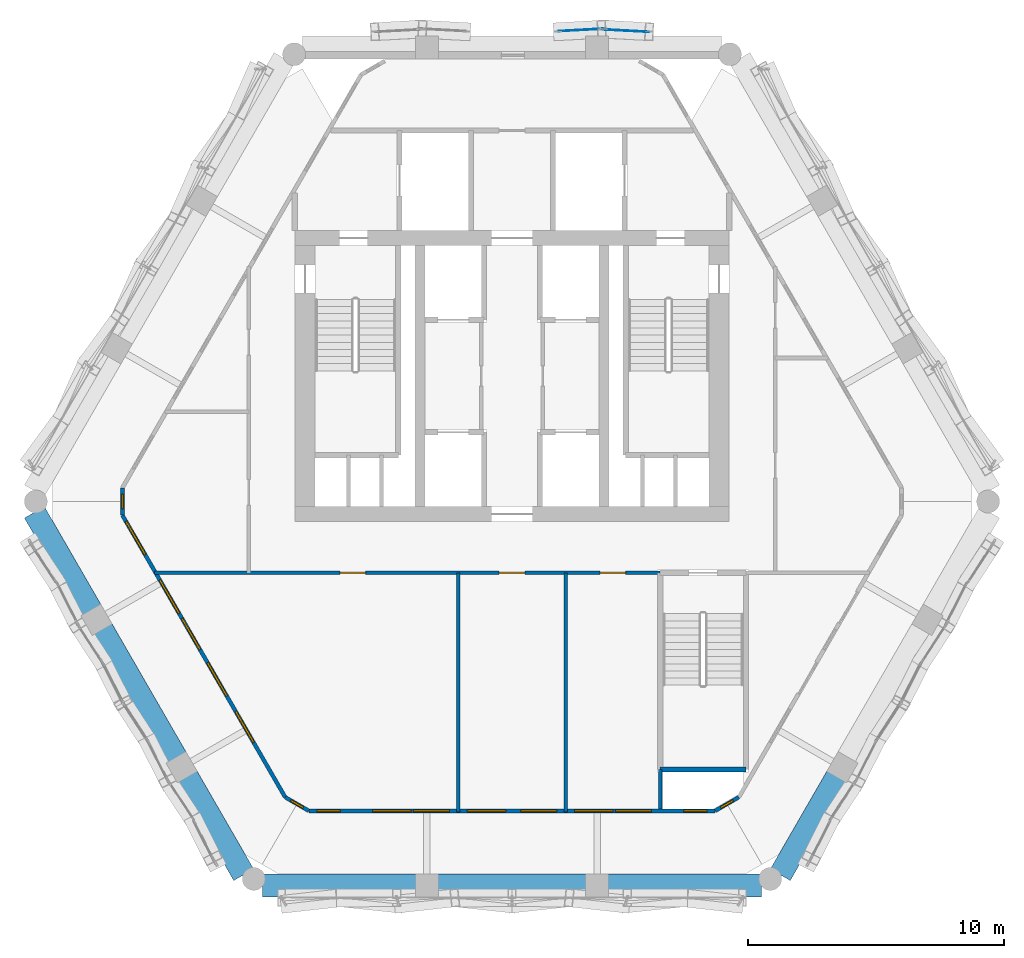
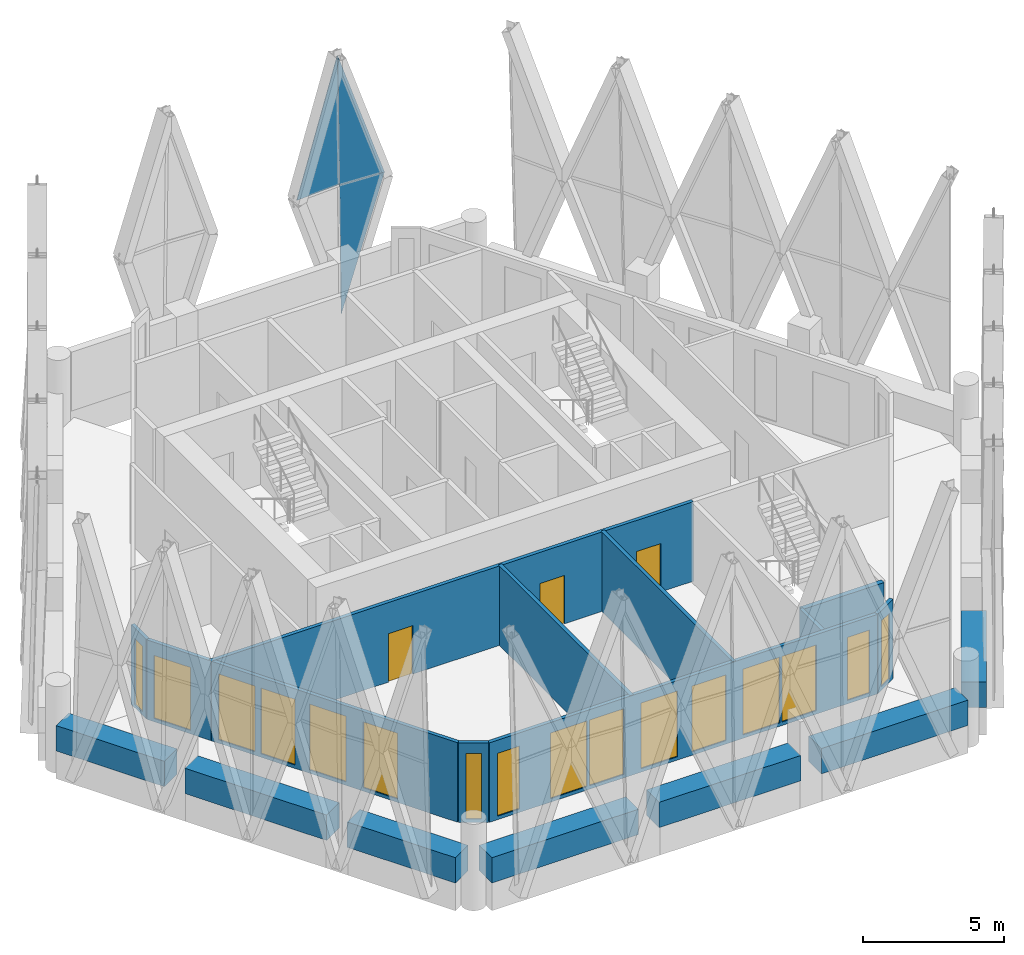
# One storey, part 12 of 21: 17 walls, 16 windows, 3 doors, 3 plates, 19 openings, 3 elements without a shape of their own.
"""IFC4 building model written with IfcOpenShell, lengths in metres."""

from ifc_helpers import new_model, si_unit, direction, frame, frame_2d, origin, place, context, subcontext, project, spatial, polyline, rectangle, outline, extrude, material, layer, layer_set, type_object, element, fill, aggregate, save


model = new_model("IFC4")

# Units and contexts
model_context = context("Model", 3, precision=1e-05, world=origin(), true_north=direction((0.0, 1.0)))
body_context = subcontext(model_context, "Body", "Model", "MODEL_VIEW")
ifc_project = project(units=[si_unit("LENGTHUNIT", "METRE"), si_unit("AREAUNIT", "SQUARE_METRE"), si_unit("VOLUMEUNIT", "CUBIC_METRE"), si_unit("PLANEANGLEUNIT", "RADIAN"), si_unit("MASSUNIT", "GRAM", prefix="KILO")], contexts=[model_context])

# Site, building, storey
site_placement = place(None, origin())
site = spatial("IfcSite", under=ifc_project, at=site_placement, CompositionType="ELEMENT")
building_placement = place(site_placement, origin())
building = spatial("IfcBuilding", under=site, at=building_placement, Name="Ostrander Bayou Hotel Tower", CompositionType="ELEMENT")
storey_placement = place(building_placement, frame((0.0, 0.0, 256.25)))
storey = spatial("IfcBuildingStorey", under=building, at=storey_placement, Name="L63", CompositionType="ELEMENT", Elevation=256.25)

# Curtain wall, plate
ifc_material_1 = material(Name="Aluminium and clear glass", Category="aluminium")
curtain_wall_type = type_object("IfcCurtainWallType", Name="CW-LAT lattice glazing", PredefinedType="NOTDEFINED", material=ifc_material_1)
curtain_wall_1_placement = place(storey_placement, origin())
curtain_wall_1 = element("IfcCurtainWall", 1, at=curtain_wall_1_placement, inside=storey, type_object=curtain_wall_type, Name="CW-LAT L63 N 1", PredefinedType="NOTDEFINED")
ifc_material_2 = material(Name="Clear laminated glass", Category="glass")
ifc_layer_1 = layer(ifc_material_2, 0.028076171875)
ifc_layer_set_1 = layer_set([ifc_layer_1], Name="CW-LA glazing panel 28 mm")
plate_type = type_object("IfcPlateType", Name="CW-LA glazing panel 28 mm", PredefinedType="CURTAIN_PANEL", material=ifc_layer_set_1)
plate_1_placement = place(storey_placement, frame((5.369140625, 17.474365234375, 5.02490234375), z_axis=(0.053395267381, 0.998573227468, 0.000674393351), x_axis=(-0.292179860283, 0.016269105857, -0.956224997289)))
plate_1 = element("IfcPlate", 2, at=plate_1_placement, type_object=plate_type, Name="CW-LAT panel 1", PredefinedType="CURTAIN_PANEL", context=body_context, shape_type="SweptSolid", body=[
    extrude(outline(polyline([(0.0, 0.0), (5.882506748881362, 0.0), (0.5244990344795009, 1.7138919783155455), (0.0, 0.0)])), origin(), (0.0, 0.0, -1.0), 0.028076171875),
])
aggregate(curtain_wall_1, [plate_1])

curtain_wall_2_placement = place(storey_placement, origin())
curtain_wall_2 = element("IfcCurtainWall", 3, at=curtain_wall_2_placement, inside=storey, type_object=curtain_wall_type, Name="CW-LAT L63 N 2", PredefinedType="NOTDEFINED")
plate_2_placement = place(storey_placement, frame((5.369140625, 17.474365234375, 5.02490234375), z_axis=(0.053395267464, 0.998573229026, 0.000672075849), x_axis=(-0.313997869011, 0.016151051654, 0.949286301274)))
plate_2 = element("IfcPlate", 4, at=plate_2_placement, type_object=plate_type, Name="CW-LAT panel 2", PredefinedType="CURTAIN_PANEL", context=body_context, shape_type="SweptSolid", body=[
    extrude(outline(polyline([(0.0, 0.0), (5.925504236655476, 0.0), (0.5635374975506053, -1.7014553885890473), (0.0, 0.0)])), origin(), (0.0, 0.0, -1.0), 0.028076171875),
])
aggregate(curtain_wall_2, [plate_2])

curtain_wall_3_placement = place(storey_placement, origin())
curtain_wall_3 = element("IfcCurtainWall", 5, at=curtain_wall_3_placement, inside=storey, type_object=curtain_wall_type, Name="CW-LAT L63 N 4", PredefinedType="NOTDEFINED")
plate_3_placement = place(storey_placement, frame((1.789794921875, 17.474365234375, 5.02490234375), z_axis=(0.053402531172, -0.998572840536, 0.000672167276), x_axis=(0.292179860283, 0.016269105857, 0.956224997289)))
plate_3 = element("IfcPlate", 6, at=plate_3_placement, type_object=plate_type, Name="CW-LAT panel 4", PredefinedType="CURTAIN_PANEL", context=body_context, shape_type="SweptSolid", body=[
    extrude(outline(polyline([(0.0, 0.0), (5.882506748881362, 2.220446049250313e-16), (0.524427701505799, -1.713658855402847), (0.0, 0.0)])), origin(), (0.0, 0.0, -1.0), 0.028076171875),
])
aggregate(curtain_wall_3, [plate_3])

# Wall, openings, windows
ifc_material_3 = material(Name="Aluminium framed insulated wall", Category="aluminium")
ifc_layer_2 = layer(ifc_material_3, 0.14990234375)
ifc_layer_set_2 = layer_set([ifc_layer_2], Name="GW1 glass-line wall 150 mm")
wall_type_1 = type_object("IfcWallType", Name="GW1 glass-line wall 150 mm", PredefinedType="SOLIDWALL", material=ifc_layer_set_2)
wall_1_placement = place(storey_placement, frame((-15.245849609375, -1.443603515625, 0.0), z_axis=(0.0, 0.0, 1.0), x_axis=(0.500005990458, -0.866021945164, 0.0)))
wall_1 = element("IfcWall", 7, at=wall_1_placement, inside=storey, type_object=wall_type_1, Name="GW1 L63 SW 1", PredefinedType="SOLIDWALL", context=body_context, shape_type="SweptSolid", body=[
    extrude(rectangle(XDim=12.745361328125, YDim=0.14990234375, at=frame_2d((6.37255859375, 0.0))), origin(), (0.0, 0.0, 1.0), 3.449951171875),
])
opening_1_placement = place(wall_1_placement, frame((2.9296875, 0.0, 0.14990234375)))
opening_1 = element("IfcOpeningElement", 8, at=opening_1_placement, cuts=wall_1, Name="Opening W4", PredefinedType="OPENING", context=body_context, shape_type="SweptSolid", body=[
    extrude(rectangle(XDim=1.5, YDim=2.85009765625, at=frame_2d((0.75, 1.425048828125))), frame((0.0, 0.074951171875, 0.0), z_axis=(0.0, -1.0, 0.0), x_axis=(1.0, 0.0, 0.0)), (0.0, 0.0, 1.0), 0.14990234375),
])
opening_2_placement = place(wall_1_placement, frame((4.6728515625, 0.0, 0.14990234375)))
opening_2 = element("IfcOpeningElement", 9, at=opening_2_placement, cuts=wall_1, Name="Opening W14", PredefinedType="OPENING", context=body_context, shape_type="SweptSolid", body=[
    extrude(rectangle(XDim=1.39990234375, YDim=2.85009765625, at=frame_2d((0.699951171875, 1.425048828125))), frame((0.0, 0.074951171875, 0.0), z_axis=(0.0, -1.0, 0.0), x_axis=(1.0, 0.0, 0.0)), (0.0, 0.0, 1.0), 0.14990234375),
])
opening_3_placement = place(wall_1_placement, frame((6.6728515625, 0.0, 0.14990234375)))
opening_3 = element("IfcOpeningElement", 10, at=opening_3_placement, cuts=wall_1, Name="Opening W4", PredefinedType="OPENING", context=body_context, shape_type="SweptSolid", body=[
    extrude(rectangle(XDim=1.5, YDim=2.85009765625, at=frame_2d((0.75, 1.425048828125))), frame((0.0, 0.074951171875, 0.0), z_axis=(0.0, -1.0, 0.0), x_axis=(1.0, 0.0, 0.0)), (0.0, 0.0, 1.0), 0.14990234375),
])
opening_4_placement = place(wall_1_placement, frame((8.872802734375, 0.0, 0.14990234375)))
opening_4 = element("IfcOpeningElement", 11, at=opening_4_placement, cuts=wall_1, Name="Opening W14", PredefinedType="OPENING", context=body_context, shape_type="SweptSolid", body=[
    extrude(rectangle(XDim=1.39990234375, YDim=2.85009765625, at=frame_2d((0.699951171875, 1.425048828125))), frame((0.0, 0.074951171875, 0.0), z_axis=(0.0, -1.0, 0.0), x_axis=(1.0, 0.0, 0.0)), (0.0, 0.0, 1.0), 0.14990234375),
])
opening_5_placement = place(wall_1_placement, frame((0.286376953125, 0.0, 0.14990234375)))
opening_5 = element("IfcOpeningElement", 12, at=opening_5_placement, cuts=wall_1, Name="Opening W4", PredefinedType="OPENING", context=body_context, shape_type="SweptSolid", body=[
    extrude(rectangle(XDim=1.5, YDim=2.72998046875, at=frame_2d((0.75, 1.364990234375))), frame((0.0, 0.074951171875, 0.0), z_axis=(0.0, -1.0, 0.0), x_axis=(1.0, 0.0, 0.0)), (0.0, 0.0, 1.0), 0.14990234375),
])
ifc_material_4 = material(Name="Aluminium and clear glass", Category="aluminium")
window_type_1 = type_object("IfcWindowType", Name="W14 fixed window 1400 mm, bath bay, zone 4", PartitioningType="SINGLE_PANEL", PredefinedType="WINDOW", material=ifc_material_4)
window_1_placement = place(opening_2_placement, origin())
window_1 = element("IfcWindow", 13, at=window_1_placement, inside=storey, type_object=window_type_1, Name="W14 L63 SW 1", OverallHeight=2.85009765625, OverallWidth=1.39990234375, PartitioningType="SINGLE_PANEL", PredefinedType="WINDOW", context=body_context, shape_type="SweptSolid", body=[
    extrude(rectangle(XDim=1.39990234375, YDim=2.85009765625, at=frame_2d((0.699951171875, 1.425048828125))), frame((0.0, 0.030029296875, 0.0), z_axis=(0.0, -1.0, 0.0), x_axis=(1.0, 0.0, 0.0)), (0.0, 0.0, 1.0), 0.06005859375),
])
fill(opening_2, window_1)
window_2_placement = place(opening_4_placement, origin())
window_2 = element("IfcWindow", 14, at=window_2_placement, inside=storey, type_object=window_type_1, Name="W14 L63 SW 2", OverallHeight=2.85009765625, OverallWidth=1.39990234375, PartitioningType="SINGLE_PANEL", PredefinedType="WINDOW", context=body_context, shape_type="SweptSolid", body=[
    extrude(rectangle(XDim=1.39990234375, YDim=2.85009765625, at=frame_2d((0.699951171875, 1.425048828125))), frame((0.0, 0.030029296875, 0.0), z_axis=(0.0, -1.0, 0.0), x_axis=(1.0, 0.0, 0.0)), (0.0, 0.0, 1.0), 0.06005859375),
])
fill(opening_4, window_2)
ifc_material_5 = material(Name="Aluminium and clear glass", Category="aluminium")
window_type_2 = type_object("IfcWindowType", Name="W4 fixed window 1500 mm, zone 4", PartitioningType="SINGLE_PANEL", PredefinedType="WINDOW", material=ifc_material_5)
window_3_placement = place(opening_1_placement, origin())
window_3 = element("IfcWindow", 15, at=window_3_placement, inside=storey, type_object=window_type_2, Name="W4 L63 SW 1", OverallHeight=2.85009765625, OverallWidth=1.5, PartitioningType="SINGLE_PANEL", PredefinedType="WINDOW", context=body_context, shape_type="SweptSolid", body=[
    extrude(rectangle(XDim=1.5, YDim=2.85009765625, at=frame_2d((0.75, 1.425048828125))), frame((0.0, 0.030029296875, 0.0), z_axis=(0.0, -1.0, 0.0), x_axis=(1.0, 0.0, 0.0)), (0.0, 0.0, 1.0), 0.06005859375),
])
fill(opening_1, window_3)
window_4_placement = place(opening_3_placement, origin())
window_4 = element("IfcWindow", 16, at=window_4_placement, inside=storey, type_object=window_type_2, Name="W4 L63 SW 2", OverallHeight=2.85009765625, OverallWidth=1.5, PartitioningType="SINGLE_PANEL", PredefinedType="WINDOW", context=body_context, shape_type="SweptSolid", body=[
    extrude(rectangle(XDim=1.5, YDim=2.85009765625, at=frame_2d((0.75, 1.425048828125))), frame((0.0, 0.030029296875, 0.0), z_axis=(0.0, -1.0, 0.0), x_axis=(1.0, 0.0, 0.0)), (0.0, 0.0, 1.0), 0.06005859375),
])
fill(opening_3, window_4)
window_5_placement = place(opening_5_placement, origin())
window_5 = element("IfcWindow", 17, at=window_5_placement, inside=storey, type_object=window_type_2, Name="W4 L63 SW E11", OverallHeight=2.72998046875, OverallWidth=1.5, PartitioningType="SINGLE_PANEL", PredefinedType="WINDOW", context=body_context, shape_type="SweptSolid", body=[
    extrude(rectangle(XDim=1.5, YDim=2.72998046875, at=frame_2d((0.75, 1.364990234375))), frame((0.0, 0.030029296875, 0.0), z_axis=(0.0, -1.0, 0.0), x_axis=(1.0, 0.0, 0.0)), (0.0, 0.0, 1.0), 0.06005859375),
])
fill(opening_5, window_5)

wall_2_placement = place(storey_placement, frame((-7.95068359375, -13.013916015625, 0.0), z_axis=(0.0, 0.0, 1.0), x_axis=(1.0, 0.0, 0.0)))
wall_2 = element("IfcWall", 18, at=wall_2_placement, inside=storey, type_object=wall_type_1, Name="GW1 L63 S 1", PredefinedType="SOLIDWALL", context=body_context, shape_type="SweptSolid", body=[
    extrude(rectangle(XDim=15.9013671875, YDim=0.14990234375, at=frame_2d((7.95068359375, 0.0))), origin(), (0.0, 0.0, 1.0), 3.449951171875),
])
opening_6_placement = place(wall_2_placement, frame((2.500732421875, 0.0, 0.14990234375)))
opening_6 = element("IfcOpeningElement", 19, at=opening_6_placement, cuts=wall_2, Name="Opening W4", PredefinedType="OPENING", context=body_context, shape_type="SweptSolid", body=[
    extrude(rectangle(XDim=1.5, YDim=2.85009765625, at=frame_2d((0.75, 1.425048828125))), frame((0.0, 0.074951171875, 0.0), z_axis=(0.0, -1.0, 0.0), x_axis=(1.0, 0.0, 0.0)), (0.0, 0.0, 1.0), 0.14990234375),
])
opening_7_placement = place(wall_2_placement, frame((4.1005859375, 0.0, 0.14990234375)))
opening_7 = element("IfcOpeningElement", 20, at=opening_7_placement, cuts=wall_2, Name="Opening W14", PredefinedType="OPENING", context=body_context, shape_type="SweptSolid", body=[
    extrude(rectangle(XDim=1.39990234375, YDim=2.85009765625, at=frame_2d((0.699951171875, 1.425048828125))), frame((0.0, 0.074951171875, 0.0), z_axis=(0.0, -1.0, 0.0), x_axis=(1.0, 0.0, 0.0)), (0.0, 0.0, 1.0), 0.14990234375),
])
opening_8_placement = place(wall_2_placement, frame((6.20068359375, 0.0, 0.14990234375)))
opening_8 = element("IfcOpeningElement", 21, at=opening_8_placement, cuts=wall_2, Name="Opening W4", PredefinedType="OPENING", context=body_context, shape_type="SweptSolid", body=[
    extrude(rectangle(XDim=1.5, YDim=2.85009765625, at=frame_2d((0.75, 1.425048828125))), frame((0.0, 0.074951171875, 0.0), z_axis=(0.0, -1.0, 0.0), x_axis=(1.0, 0.0, 0.0)), (0.0, 0.0, 1.0), 0.14990234375),
])
opening_9_placement = place(wall_2_placement, frame((8.30078125, 0.0, 0.14990234375)))
opening_9 = element("IfcOpeningElement", 22, at=opening_9_placement, cuts=wall_2, Name="Opening W14", PredefinedType="OPENING", context=body_context, shape_type="SweptSolid", body=[
    extrude(rectangle(XDim=1.39990234375, YDim=2.85009765625, at=frame_2d((0.699951171875, 1.425048828125))), frame((0.0, 0.074951171875, 0.0), z_axis=(0.0, -1.0, 0.0), x_axis=(1.0, 0.0, 0.0)), (0.0, 0.0, 1.0), 0.14990234375),
])
opening_10_placement = place(wall_2_placement, frame((10.400634765625, 0.0, 0.14990234375)))
opening_10 = element("IfcOpeningElement", 23, at=opening_10_placement, cuts=wall_2, Name="Opening W4", PredefinedType="OPENING", context=body_context, shape_type="SweptSolid", body=[
    extrude(rectangle(XDim=1.5, YDim=2.85009765625, at=frame_2d((0.75, 1.425048828125))), frame((0.0, 0.074951171875, 0.0), z_axis=(0.0, -1.0, 0.0), x_axis=(1.0, 0.0, 0.0)), (0.0, 0.0, 1.0), 0.14990234375),
])
opening_11_placement = place(wall_2_placement, frame((12.000732421875, 0.0, 0.14990234375)))
opening_11 = element("IfcOpeningElement", 24, at=opening_11_placement, cuts=wall_2, Name="Opening W14", PredefinedType="OPENING", context=body_context, shape_type="SweptSolid", body=[
    extrude(rectangle(XDim=1.39990234375, YDim=2.85009765625, at=frame_2d((0.699951171875, 1.425048828125))), frame((0.0, 0.074951171875, 0.0), z_axis=(0.0, -1.0, 0.0), x_axis=(1.0, 0.0, 0.0)), (0.0, 0.0, 1.0), 0.14990234375),
])
opening_12_placement = place(wall_2_placement, frame((0.3251953125, 0.0, 0.14990234375)))
opening_12 = element("IfcOpeningElement", 25, at=opening_12_placement, cuts=wall_2, Name="Opening W18", PredefinedType="OPENING", context=body_context, shape_type="SweptSolid", body=[
    extrude(rectangle(XDim=0.89990234375, YDim=2.72998046875, at=frame_2d((0.449951171875, 1.364990234375))), frame((0.0, 0.074951171875, 0.0), z_axis=(0.0, -1.0, 0.0), x_axis=(1.0, 0.0, 0.0)), (0.0, 0.0, 1.0), 0.14990234375),
])
opening_13_placement = place(wall_2_placement, frame((14.676025390625, 0.0, 0.14990234375)))
opening_13 = element("IfcOpeningElement", 26, at=opening_13_placement, cuts=wall_2, Name="Opening W18", PredefinedType="OPENING", context=body_context, shape_type="SweptSolid", body=[
    extrude(rectangle(XDim=0.89990234375, YDim=2.72998046875, at=frame_2d((0.449951171875, 1.364990234375))), frame((0.0, 0.074951171875, 0.0), z_axis=(0.0, -1.0, 0.0), x_axis=(1.0, 0.0, 0.0)), (0.0, 0.0, 1.0), 0.14990234375),
])
window_6_placement = place(opening_7_placement, origin())
window_6 = element("IfcWindow", 27, at=window_6_placement, inside=storey, type_object=window_type_1, Name="W14 L63 S 1", OverallHeight=2.85009765625, OverallWidth=1.39990234375, PartitioningType="SINGLE_PANEL", PredefinedType="WINDOW", context=body_context, shape_type="SweptSolid", body=[
    extrude(rectangle(XDim=1.39990234375, YDim=2.85009765625, at=frame_2d((0.699951171875, 1.425048828125))), frame((0.0, 0.030029296875, 0.0), z_axis=(0.0, -1.0, 0.0), x_axis=(1.0, 0.0, 0.0)), (0.0, 0.0, 1.0), 0.06005859375),
])
fill(opening_7, window_6)
window_7_placement = place(opening_9_placement, origin())
window_7 = element("IfcWindow", 28, at=window_7_placement, inside=storey, type_object=window_type_1, Name="W14 L63 S 2", OverallHeight=2.85009765625, OverallWidth=1.39990234375, PartitioningType="SINGLE_PANEL", PredefinedType="WINDOW", context=body_context, shape_type="SweptSolid", body=[
    extrude(rectangle(XDim=1.39990234375, YDim=2.85009765625, at=frame_2d((0.699951171875, 1.425048828125))), frame((0.0, 0.030029296875, 0.0), z_axis=(0.0, -1.0, 0.0), x_axis=(1.0, 0.0, 0.0)), (0.0, 0.0, 1.0), 0.06005859375),
])
fill(opening_9, window_7)
window_8_placement = place(opening_11_placement, origin())
window_8 = element("IfcWindow", 29, at=window_8_placement, inside=storey, type_object=window_type_1, Name="W14 L63 S 3", OverallHeight=2.85009765625, OverallWidth=1.39990234375, PartitioningType="SINGLE_PANEL", PredefinedType="WINDOW", context=body_context, shape_type="SweptSolid", body=[
    extrude(rectangle(XDim=1.39990234375, YDim=2.85009765625, at=frame_2d((0.699951171875, 1.425048828125))), frame((0.0, 0.030029296875, 0.0), z_axis=(0.0, -1.0, 0.0), x_axis=(1.0, 0.0, 0.0)), (0.0, 0.0, 1.0), 0.06005859375),
])
fill(opening_11, window_8)
ifc_material_6 = material(Name="Aluminium and clear glass", Category="aluminium")
window_type_3 = type_object("IfcWindowType", Name="W18 window 900 mm, zone 4", PartitioningType="SINGLE_PANEL", PredefinedType="WINDOW", material=ifc_material_6)
window_9_placement = place(opening_12_placement, origin())
window_9 = element("IfcWindow", 30, at=window_9_placement, inside=storey, type_object=window_type_3, Name="W18 L63 S E11", OverallHeight=2.72998046875, OverallWidth=0.89990234375, PartitioningType="SINGLE_PANEL", PredefinedType="WINDOW", context=body_context, shape_type="SweptSolid", body=[
    extrude(rectangle(XDim=0.89990234375, YDim=2.72998046875, at=frame_2d((0.449951171875, 1.364990234375))), frame((0.0, 0.030029296875, 0.0), z_axis=(0.0, -1.0, 0.0), x_axis=(1.0, 0.0, 0.0)), (0.0, 0.0, 1.0), 0.06005859375),
])
fill(opening_12, window_9)
window_10_placement = place(opening_13_placement, origin())
window_10 = element("IfcWindow", 31, at=window_10_placement, inside=storey, type_object=window_type_3, Name="W18 L63 S E21", OverallHeight=2.72998046875, OverallWidth=0.89990234375, PartitioningType="SINGLE_PANEL", PredefinedType="WINDOW", context=body_context, shape_type="SweptSolid", body=[
    extrude(rectangle(XDim=0.89990234375, YDim=2.72998046875, at=frame_2d((0.449951171875, 1.364990234375))), frame((0.0, 0.030029296875, 0.0), z_axis=(0.0, -1.0, 0.0), x_axis=(1.0, 0.0, 0.0)), (0.0, 0.0, 1.0), 0.06005859375),
])
fill(opening_13, window_10)
window_11_placement = place(opening_6_placement, origin())
window_11 = element("IfcWindow", 32, at=window_11_placement, inside=storey, type_object=window_type_2, Name="W4 L63 S 1", OverallHeight=2.85009765625, OverallWidth=1.5, PartitioningType="SINGLE_PANEL", PredefinedType="WINDOW", context=body_context, shape_type="SweptSolid", body=[
    extrude(rectangle(XDim=1.5, YDim=2.85009765625, at=frame_2d((0.75, 1.425048828125))), frame((0.0, 0.030029296875, 0.0), z_axis=(0.0, -1.0, 0.0), x_axis=(1.0, 0.0, 0.0)), (0.0, 0.0, 1.0), 0.06005859375),
])
fill(opening_6, window_11)
window_12_placement = place(opening_8_placement, origin())
window_12 = element("IfcWindow", 33, at=window_12_placement, inside=storey, type_object=window_type_2, Name="W4 L63 S 2", OverallHeight=2.85009765625, OverallWidth=1.5, PartitioningType="SINGLE_PANEL", PredefinedType="WINDOW", context=body_context, shape_type="SweptSolid", body=[
    extrude(rectangle(XDim=1.5, YDim=2.85009765625, at=frame_2d((0.75, 1.425048828125))), frame((0.0, 0.030029296875, 0.0), z_axis=(0.0, -1.0, 0.0), x_axis=(1.0, 0.0, 0.0)), (0.0, 0.0, 1.0), 0.06005859375),
])
fill(opening_8, window_12)
window_13_placement = place(opening_10_placement, origin())
window_13 = element("IfcWindow", 34, at=window_13_placement, inside=storey, type_object=window_type_2, Name="W4 L63 S 3", OverallHeight=2.85009765625, OverallWidth=1.5, PartitioningType="SINGLE_PANEL", PredefinedType="WINDOW", context=body_context, shape_type="SweptSolid", body=[
    extrude(rectangle(XDim=1.5, YDim=2.85009765625, at=frame_2d((0.75, 1.425048828125))), frame((0.0, 0.030029296875, 0.0), z_axis=(0.0, -1.0, 0.0), x_axis=(1.0, 0.0, 0.0)), (0.0, 0.0, 1.0), 0.06005859375),
])
fill(opening_10, window_13)

# Wall, opening, window
wall_3_placement = place(storey_placement, frame((-15.245849609375, -0.37841796875, 0.0), z_axis=(0.0, 0.0, 1.0), x_axis=(0.0, -1.0, 0.0)))
wall_3 = element("IfcWall", 35, at=wall_3_placement, inside=storey, type_object=wall_type_1, Name="GW1 L63 corner 2", PredefinedType="SOLIDWALL", context=body_context, shape_type="SweptSolid", body=[
    extrude(rectangle(XDim=1.065185546875, YDim=0.14990234375, at=frame_2d((0.53271484375, 0.0))), origin(), (0.0, 0.0, 1.0), 3.449951171875),
])
opening_14_placement = place(wall_3_placement, frame((0.257568359375, 0.0, 0.14990234375)))
opening_14 = element("IfcOpeningElement", 36, at=opening_14_placement, cuts=wall_3, Name="Opening W19", PredefinedType="OPENING", context=body_context, shape_type="SweptSolid", body=[
    extrude(rectangle(XDim=0.550048828125, YDim=2.85009765625, at=frame_2d((0.27490234375, 1.425048828125))), frame((0.0, 0.074951171875, 0.0), z_axis=(0.0, -1.0, 0.0), x_axis=(1.0, 0.0, 0.0)), (0.0, 0.0, 1.0), 0.14990234375),
])
ifc_material_7 = material(Name="Aluminium and clear glass", Category="aluminium")
window_type_4 = type_object("IfcWindowType", Name="W19 corner window 550 mm", PartitioningType="SINGLE_PANEL", PredefinedType="WINDOW", material=ifc_material_7)
window_14_placement = place(opening_14_placement, origin())
window_14 = element("IfcWindow", 37, at=window_14_placement, inside=storey, type_object=window_type_4, Name="W19 L63 corner 2", OverallHeight=2.85009765625, OverallWidth=0.550048828125, PartitioningType="SINGLE_PANEL", PredefinedType="WINDOW", context=body_context, shape_type="SweptSolid", body=[
    extrude(rectangle(XDim=0.550048828125, YDim=2.85009765625, at=frame_2d((0.27490234375, 1.425048828125))), frame((0.0, 0.030029296875, 0.0), z_axis=(0.0, -1.0, 0.0), x_axis=(1.0, 0.0, 0.0)), (0.0, 0.0, 1.0), 0.06005859375),
])
fill(opening_14, window_14)

wall_4_placement = place(storey_placement, frame((-8.873046875, -12.4814453125, 0.0), z_axis=(0.0, 0.0, 1.0), x_axis=(0.866048165231, -0.499960573946, 0.0)))
wall_4 = element("IfcWall", 38, at=wall_4_placement, inside=storey, type_object=wall_type_1, Name="GW1 L63 corner 3", PredefinedType="SOLIDWALL", context=body_context, shape_type="SweptSolid", body=[
    extrude(rectangle(XDim=1.06494140625, YDim=0.14990234375, at=frame_2d((0.532470703125, 0.0))), origin(), (0.0, 0.0, 1.0), 3.449951171875),
])
opening_15_placement = place(wall_4_placement, frame((0.257568359375, 0.0, 0.14990234375)))
opening_15 = element("IfcOpeningElement", 39, at=opening_15_placement, cuts=wall_4, Name="Opening W19", PredefinedType="OPENING", context=body_context, shape_type="SweptSolid", body=[
    extrude(rectangle(XDim=0.550048828125, YDim=2.85009765625, at=frame_2d((0.27490234375, 1.425048828125))), frame((0.0, 0.074951171875, 0.0), z_axis=(0.0, -1.0, 0.0), x_axis=(1.0, 0.0, 0.0)), (0.0, 0.0, 1.0), 0.14990234375),
])
window_15_placement = place(opening_15_placement, origin())
window_15 = element("IfcWindow", 40, at=window_15_placement, inside=storey, type_object=window_type_4, Name="W19 L63 corner 3", OverallHeight=2.85009765625, OverallWidth=0.550048828125, PartitioningType="SINGLE_PANEL", PredefinedType="WINDOW", context=body_context, shape_type="SweptSolid", body=[
    extrude(rectangle(XDim=0.550048828125, YDim=2.85009765625, at=frame_2d((0.27490234375, 1.425048828125))), frame((0.0, 0.030029296875, 0.0), z_axis=(0.0, -1.0, 0.0), x_axis=(1.0, 0.0, 0.0)), (0.0, 0.0, 1.0), 0.06005859375),
])
fill(opening_15, window_15)

wall_5_placement = place(storey_placement, frame((7.95068359375, -13.013916015625, 0.0), z_axis=(0.0, 0.0, 1.0), x_axis=(0.866048165231, 0.499960573946, 0.0)))
wall_5 = element("IfcWall", 41, at=wall_5_placement, inside=storey, type_object=wall_type_1, Name="GW1 L63 corner 4", PredefinedType="SOLIDWALL", context=body_context, shape_type="SweptSolid", body=[
    extrude(rectangle(XDim=1.06494140625, YDim=0.14990234375, at=frame_2d((0.532470703125, 0.0))), origin(), (0.0, 0.0, 1.0), 3.449951171875),
])
opening_16_placement = place(wall_5_placement, frame((0.257568359375, 0.0, 0.14990234375)))
opening_16 = element("IfcOpeningElement", 42, at=opening_16_placement, cuts=wall_5, Name="Opening W19", PredefinedType="OPENING", context=body_context, shape_type="SweptSolid", body=[
    extrude(rectangle(XDim=0.550048828125, YDim=2.85009765625, at=frame_2d((0.27490234375, 1.425048828125))), frame((0.0, 0.074951171875, 0.0), z_axis=(0.0, -1.0, 0.0), x_axis=(1.0, 0.0, 0.0)), (0.0, 0.0, 1.0), 0.14990234375),
])
window_16_placement = place(opening_16_placement, origin())
window_16 = element("IfcWindow", 43, at=window_16_placement, inside=storey, type_object=window_type_4, Name="W19 L63 corner 4", OverallHeight=2.85009765625, OverallWidth=0.550048828125, PartitioningType="SINGLE_PANEL", PredefinedType="WINDOW", context=body_context, shape_type="SweptSolid", body=[
    extrude(rectangle(XDim=0.550048828125, YDim=2.85009765625, at=frame_2d((0.27490234375, 1.425048828125))), frame((0.0, 0.030029296875, 0.0), z_axis=(0.0, -1.0, 0.0), x_axis=(1.0, 0.0, 0.0)), (0.0, 0.0, 1.0), 0.06005859375),
])
fill(opening_16, window_16)

# Walls
ifc_material_8 = material(Name="Concrete f'c 40 MPa", Category="concrete")
ifc_layer_3 = layer(ifc_material_8, 0.89990234375)
ifc_layer_set_3 = layer_set([ifc_layer_3], Name="PA1 stone-faced parapet 900 mm")
wall_type_2 = type_object("IfcWallType", Name="PA1 stone-faced parapet 900 mm", PredefinedType="PARAPET", material=ifc_layer_set_3)
wall_6_placement = place(storey_placement, frame((-9.76708984375, -15.93896484375, 0.0), z_axis=(0.0, 0.0, 1.0), x_axis=(1.0, 0.0, 0.0)))
element("IfcWall", 44, at=wall_6_placement, inside=storey, type_object=wall_type_2, Name="PA1 L63 S-1", PredefinedType="PARAPET", context=body_context, shape_type="SweptSolid", body=[
    extrude(rectangle(XDim=6.017578125, YDim=0.89990234375, at=frame_2d((3.0087890625, 0.0))), origin(), (0.0, 0.0, 1.0), 1.10009765625),
])
wall_7_placement = place(storey_placement, frame((-2.909423828125, -15.93896484375, 0.0), z_axis=(0.0, 0.0, 1.0), x_axis=(1.0, 0.0, 0.0)))
element("IfcWall", 45, at=wall_7_placement, inside=storey, type_object=wall_type_2, Name="PA1 L63 S-2", PredefinedType="PARAPET", context=body_context, shape_type="SweptSolid", body=[
    extrude(rectangle(XDim=5.81884765625, YDim=0.89990234375, at=frame_2d((2.909423828125, 0.0))), origin(), (0.0, 0.0, 1.0), 1.10009765625),
])
wall_8_placement = place(storey_placement, frame((3.74951171875, -15.93896484375, 0.0), z_axis=(0.0, 0.0, 1.0), x_axis=(1.0, 0.0, 0.0)))
element("IfcWall", 46, at=wall_8_placement, inside=storey, type_object=wall_type_2, Name="PA1 L63 S-3", PredefinedType="PARAPET", context=body_context, shape_type="SweptSolid", body=[
    extrude(rectangle(XDim=6.017578125, YDim=0.89990234375, at=frame_2d((3.0087890625, 0.0))), origin(), (0.0, 0.0, 1.0), 1.10009765625),
])
ifc_material_9 = material(Name="Limestone masonry", Category="masonry")
ifc_layer_4 = layer(ifc_material_9, 0.89990234375)
ifc_layer_set_4 = layer_set([ifc_layer_4], Name="PA2 limestone parapet 900 mm")
wall_type_3 = type_object("IfcWallType", Name="PA2 limestone parapet 900 mm", PredefinedType="PARAPET", material=ifc_layer_set_4)
wall_9_placement = place(storey_placement, frame((-18.68701171875, -1.3330078125, 0.0), z_axis=(0.0, 0.0, 1.0), x_axis=(0.499971567444, -0.866041818706, 0.0)))
element("IfcWall", 47, at=wall_9_placement, inside=storey, type_object=wall_type_3, Name="PA2 L63 SW-1", PredefinedType="PARAPET", context=body_context, shape_type="SweptSolid", body=[
    extrude(rectangle(XDim=4.439697265625, YDim=0.89990234375, at=frame_2d((2.2197265625, 0.0))), origin(), (0.0, 0.0, 1.0), 1.10009765625),
])
wall_10_placement = place(storey_placement, frame((-16.047119140625, -5.905517578125, 0.0), z_axis=(0.0, 0.0, 1.0), x_axis=(0.500015433515, -0.866016493057, 0.0)))
element("IfcWall", 48, at=wall_10_placement, inside=storey, type_object=wall_type_3, Name="PA2 L63 SW-2", PredefinedType="PARAPET", context=body_context, shape_type="SweptSolid", body=[
    extrude(rectangle(XDim=5.818603515625, YDim=0.89990234375, at=frame_2d((2.9091796875, 0.0))), origin(), (0.0, 0.0, 1.0), 1.10009765625),
])
for number, where, z_axis, x_axis, name in (
    (49, (-12.7177734375, -11.672119140625, 0.0), (0.0, 0.0, 1.0), (0.500012810012, -0.866018007794, 0.0), "PA2 L63 SW-3"),
    (50, (10.497802734375, -15.51708984375, 0.0), (0.0, 0.0, 1.0), (0.500012810012, 0.866018007794, 0.0), "PA2 L63 SE-1"),
):
    element("IfcWall", number, at=place(storey_placement, frame(where, z_axis=z_axis, x_axis=x_axis)), inside=storey, type_object=wall_type_3, Name=name, PredefinedType="PARAPET", context=body_context, shape_type="SweptSolid", body=[
        extrude(rectangle(XDim=4.43994140625, YDim=0.89990234375, at=frame_2d((2.219970703125, 0.0))), origin(), (0.0, 0.0, 1.0), 1.10009765625),
    ])
ifc_material_10 = material(Name="Gypsum board partition", Category="finish")
ifc_layer_5 = layer(ifc_material_10, 0.14990234375)
ifc_layer_set_5 = layer_set([ifc_layer_5], Name="PT7 riser wall 150 mm, 2 hour")
wall_type_4 = type_object("IfcWallType", Name="PT7 riser wall 150 mm, 2 hour", PredefinedType="PARTITIONING", material=ifc_layer_set_5)
wall_11_placement = place(storey_placement, frame((5.800048828125, -11.39990234375, 0.0), z_axis=(0.0, 0.0, 1.0), x_axis=(0.0, -1.0, 0.0)))
element("IfcWall", 51, at=wall_11_placement, inside=storey, type_object=wall_type_4, Name="cs:L63:021", PredefinedType="PARTITIONING", context=body_context, shape_type="SweptSolid", body=[
    extrude(rectangle(XDim=1.5390625, YDim=0.14990234375, at=frame_2d((0.76953125, 0.0))), origin(), (0.0, 0.0, 1.0), 3.449951171875),
])

# Wall, openings, doors
ifc_material_11 = material(Name="Gypsum board partition", Category="finish")
ifc_layer_6 = layer(ifc_material_11, 0.14990234375)
ifc_layer_set_6 = layer_set([ifc_layer_6], Name="PT8 service band wall 150 mm, 1 hour")
wall_type_5 = type_object("IfcWallType", Name="PT8 service band wall 150 mm, 1 hour", PredefinedType="PARTITIONING", material=ifc_layer_set_6)
wall_12_placement = place(storey_placement, frame((-13.9951171875, -3.699951171875, 0.0), z_axis=(0.0, 0.0, 1.0), x_axis=(1.0, 0.0, 0.0)))
wall_12 = element("IfcWall", 52, at=wall_12_placement, inside=storey, type_object=wall_type_5, Name="gw:L63:001", PredefinedType="PARTITIONING", context=body_context, shape_type="SweptSolid", body=[
    extrude(rectangle(XDim=19.78515625, YDim=0.14990234375, at=frame_2d((9.892578125, 0.0))), origin(), (0.0, 0.0, 1.0), 3.449951171875),
])
opening_17_placement = place(wall_12_placement, frame((13.4951171875, 0.0, 0.0)))
opening_17 = element("IfcOpeningElement", 53, at=opening_17_placement, cuts=wall_12, Name="Opening T63-400", PredefinedType="OPENING", context=body_context, shape_type="SweptSolid", body=[
    extrude(rectangle(XDim=1.0, YDim=2.10009765625, at=frame_2d((0.5, 1.050048828125))), frame((0.0, 0.074951171875, 0.0), z_axis=(0.0, -1.0, 0.0), x_axis=(1.0, 0.0, 0.0)), (0.0, 0.0, 1.0), 0.14990234375),
])
opening_18_placement = place(wall_12_placement, frame((7.27001953125, 0.0, 0.0)))
opening_18 = element("IfcOpeningElement", 54, at=opening_18_placement, cuts=wall_12, Name="Opening T63-401", PredefinedType="OPENING", context=body_context, shape_type="SweptSolid", body=[
    extrude(rectangle(XDim=1.0, YDim=2.10009765625, at=frame_2d((0.5, 1.050048828125))), frame((0.0, 0.074951171875, 0.0), z_axis=(0.0, -1.0, 0.0), x_axis=(1.0, 0.0, 0.0)), (0.0, 0.0, 1.0), 0.14990234375),
])
opening_19_placement = place(wall_12_placement, frame((17.445068359375, 0.0, 0.0)))
opening_19 = element("IfcOpeningElement", 55, at=opening_19_placement, cuts=wall_12, Name="Opening T63-402", PredefinedType="OPENING", context=body_context, shape_type="SweptSolid", body=[
    extrude(rectangle(XDim=1.0, YDim=2.10009765625, at=frame_2d((0.5, 1.050048828125))), frame((0.0, 0.074951171875, 0.0), z_axis=(0.0, -1.0, 0.0), x_axis=(1.0, 0.0, 0.0)), (0.0, 0.0, 1.0), 0.14990234375),
])
ifc_material_12 = material(Name="Timber door leaf", Category="wood")
door_type_1 = type_object("IfcDoorType", Name="D15 room door 1000 x 2100 mm", OperationType="SINGLE_SWING_LEFT", PredefinedType="DOOR", material=ifc_material_12)
door_1_placement = place(opening_17_placement, origin())
door_1 = element("IfcDoor", 56, at=door_1_placement, inside=storey, type_object=door_type_1, Name="dr:L63:400", OperationType="SINGLE_SWING_LEFT", OverallHeight=2.10009765625, OverallWidth=1.0, PredefinedType="DOOR", context=body_context, shape_type="SweptSolid", body=[
    extrude(rectangle(XDim=1.0, YDim=2.10009765625, at=frame_2d((0.5, 1.050048828125))), frame((0.0, 0.02490234375, 0.0), z_axis=(0.0, -1.0, 0.0), x_axis=(1.0, 0.0, 0.0)), (0.0, 0.0, 1.0), 0.050048828125),
])
fill(opening_17, door_1)
door_2_placement = place(opening_18_placement, origin())
door_2 = element("IfcDoor", 57, at=door_2_placement, inside=storey, type_object=door_type_1, Name="dr:L63:401", OperationType="SINGLE_SWING_RIGHT", OverallHeight=2.10009765625, OverallWidth=1.0, PredefinedType="DOOR", context=body_context, shape_type="SweptSolid", body=[
    extrude(rectangle(XDim=1.0, YDim=2.10009765625, at=frame_2d((0.5, 1.050048828125))), frame((0.0, 0.02490234375, 0.0), z_axis=(0.0, -1.0, 0.0), x_axis=(1.0, 0.0, 0.0)), (0.0, 0.0, 1.0), 0.050048828125),
])
fill(opening_18, door_2)
ifc_material_13 = material(Name="Timber door leaf", Category="wood")
door_type_2 = type_object("IfcDoorType", Name="D9 service door 1000 x 2100 mm, 30 minute", OperationType="SINGLE_SWING_LEFT", PredefinedType="DOOR", material=ifc_material_13)
door_3_placement = place(opening_19_placement, origin())
door_3 = element("IfcDoor", 58, at=door_3_placement, inside=storey, type_object=door_type_2, Name="dr:L63:402", OperationType="SINGLE_SWING_LEFT", OverallHeight=2.10009765625, OverallWidth=1.0, PredefinedType="DOOR", context=body_context, shape_type="SweptSolid", body=[
    extrude(rectangle(XDim=1.0, YDim=2.10009765625, at=frame_2d((0.5, 1.050048828125))), frame((0.0, 0.02490234375, 0.0), z_axis=(0.0, -1.0, 0.0), x_axis=(1.0, 0.0, 0.0)), (0.0, 0.0, 1.0), 0.050048828125),
])
fill(opening_19, door_3)

# Walls
for number, where, z_axis, x_axis, name in (
    (59, (2.10009765625, -13.05908203125, 0.0), (0.0, 0.0, 1.0), (0.0, 1.0, 0.0), "gw:L63:007"),
    (60, (-2.10009765625, -13.05908203125, 0.0), (0.0, 0.0, 1.0), (0.0, 1.0, 0.0), "gw:L63:008"),
):
    element("IfcWall", number, at=place(storey_placement, frame(where, z_axis=z_axis, x_axis=x_axis)), inside=storey, type_object=wall_type_5, Name=name, PredefinedType="PARTITIONING", context=body_context, shape_type="SweptSolid", body=[
        extrude(rectangle(XDim=9.359130859375, YDim=0.14990234375, at=frame_2d((4.6796875, 0.0))), origin(), (0.0, 0.0, 1.0), 3.449951171875),
    ])
ifc_material_14 = material(Name="Concrete f'c 45 MPa", Category="concrete")
ifc_layer_7 = layer(ifc_material_14, 0.199951171875)
ifc_layer_set_7 = layer_set([ifc_layer_7], Name="SW5 stair enclosure wall 200 mm f'c 45 MPa")
wall_type_6 = type_object("IfcWallType", Name="SW5 stair enclosure wall 200 mm f'c 45 MPa", PredefinedType="SOLIDWALL", material=ifc_layer_set_7)
wall_13_placement = place(storey_placement, frame((5.800048828125, -11.39990234375, -0.300048828125), z_axis=(0.0, 0.0, 1.0), x_axis=(1.0, 0.0, 0.0)))
element("IfcWall", 61, at=wall_13_placement, inside=storey, type_object=wall_type_6, Name="cs:L63:020", PredefinedType="SOLIDWALL", context=body_context, shape_type="SweptSolid", body=[
    extrude(rectangle(XDim=3.349853515625, YDim=0.199951171875, at=frame_2d((1.6748046875, 0.0))), origin(), (0.0, 0.0, 1.0), 3.75),
])

save(model, "model.ifc")
